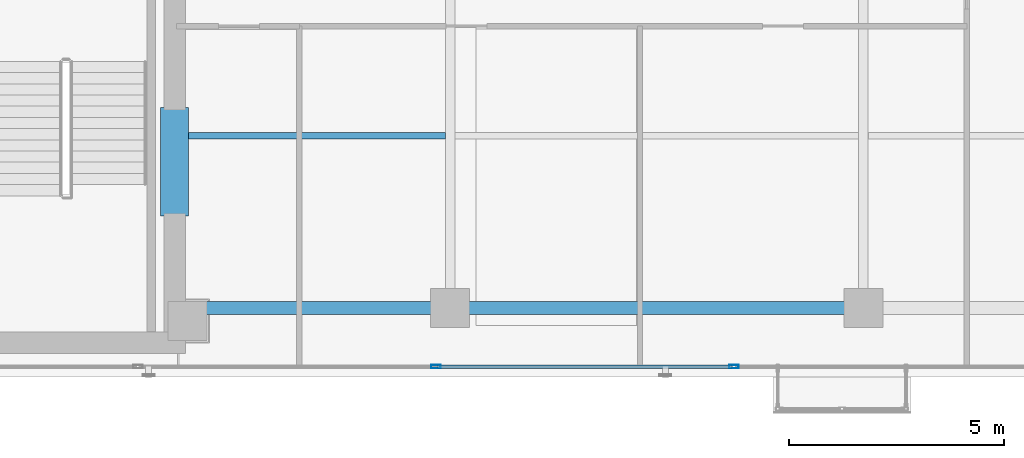
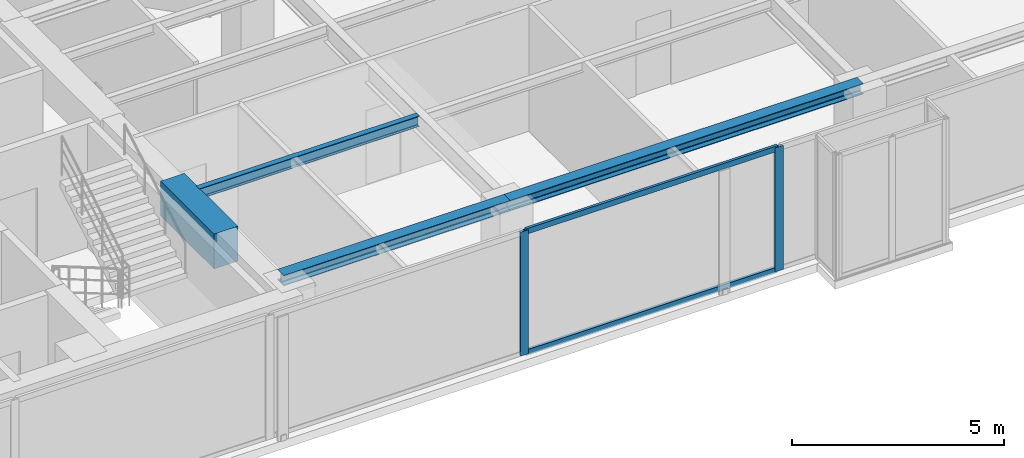
# One storey, part 4 of 24: 4 beams, 4 members, 1 element without a shape of its own.
"""IFC4 building model written with IfcOpenShell, lengths in metres."""

from ifc_helpers import new_model, si_unit, direction, frame, origin, origin_with_axes, origin_2d, place, context, subcontext, project, spatial, rectangle, hollow_rectangle, i_section, extrude, source, transform, mapped, material, layer, layer_set, material_profile, profile_set, type_object, element, aggregate, save


model = new_model("IFC4")

# Units and contexts
model_context = context("Model", 3, precision=1e-05, world=origin(), true_north=direction((0.0, 1.0)))
body_context = subcontext(model_context, "Body", "Model", "MODEL_VIEW")
ifc_project = project(units=[si_unit("LENGTHUNIT", "METRE"), si_unit("AREAUNIT", "SQUARE_METRE"), si_unit("VOLUMEUNIT", "CUBIC_METRE"), si_unit("PLANEANGLEUNIT", "RADIAN"), si_unit("MASSUNIT", "GRAM", prefix="KILO")], contexts=[model_context])

# Site, building, storey
site_placement = place(None, origin())
site = spatial("IfcSite", under=ifc_project, at=site_placement, CompositionType="ELEMENT")
building_placement = place(site_placement, origin())
building = spatial("IfcBuilding", under=site, at=building_placement, Name="Kolvaren Waterfront Exchange", CompositionType="ELEMENT")
storey_placement = place(building_placement, frame((0.0, 0.0, 331.199951171875)))
storey = spatial("IfcBuildingStorey", under=building, at=storey_placement, Name="L85", CompositionType="ELEMENT", Elevation=331.199951171875)

# Beams
ifc_material_1 = material(Name="Steel S355", Category="steel")
ifc_material_profile_1 = material_profile(ifc_material_1, i_section(OverallWidth=0.300048828125, OverallDepth=0.300048828125, WebThickness=0.010986328125, FlangeThickness=0.01904296875, FilletRadius=0.027099609375, at=origin_2d()), Name="HEB300")
ifc_profile_set_1 = profile_set([ifc_material_profile_1], Name="Steel S355")
beam_type_1 = type_object("IfcBeamType", Name="STR-BM-HEB300", PredefinedType="SPANDREL", material=ifc_profile_set_1)
beam_1_placement = place(storey_placement, frame((21.050048828125, 5.199951171875, 3.41015625), z_axis=(1.0, 0.0, 0.0), x_axis=(0.0, 1.0, 0.0)))
element("IfcBeam", 1, at=beam_1_placement, inside=storey, type_object=beam_type_1, Name="L85 east-arm spandrel S1", PredefinedType="SPANDREL", context=body_context, shape_type="SweptSolid", body=[
    extrude(i_section(OverallWidth=0.300048828125, OverallDepth=0.300048828125, WebThickness=0.010986328125, FlangeThickness=0.01904296875, FilletRadius=0.027099609375, at=origin_2d()), origin(), (0.0, 0.0, 1.0), 6.14990234375),
])
beam_2_placement = place(storey_placement, frame((27.199951171875, 5.199951171875, 3.41015625), z_axis=(1.0, 0.0, 0.0), x_axis=(0.0, 1.0, 0.0)))
element("IfcBeam", 2, at=beam_2_placement, inside=storey, type_object=beam_type_1, Name="L85 east-arm spandrel S2", PredefinedType="SPANDREL", context=body_context, shape_type="SweptSolid", body=[
    extrude(i_section(OverallWidth=0.300048828125, OverallDepth=0.300048828125, WebThickness=0.010986328125, FlangeThickness=0.01904296875, FilletRadius=0.027099609375, at=origin_2d()), origin(), (0.0, 0.0, 1.0), 9.60009765625),
])
ifc_material_profile_2 = material_profile(ifc_material_1, i_section(OverallWidth=0.14990234375, OverallDepth=0.300048828125, WebThickness=0.007080078125, FlangeThickness=0.0107421875, FilletRadius=0.014892578125, at=origin_2d()), Name="IPE300")
ifc_profile_set_2 = profile_set([ifc_material_profile_2], Name="Steel S355")
beam_type_2 = type_object("IfcBeamType", Name="STR-BM-IPE300", PredefinedType="JOIST", material=ifc_profile_set_2)
beam_3_placement = place(storey_placement, frame((21.10009765625, 9.199951171875, 3.41015625), z_axis=(1.0, 0.0, 0.0), x_axis=(0.0, 1.0, 0.0)))
element("IfcBeam", 3, at=beam_3_placement, inside=storey, type_object=beam_type_2, Name="L85 east-arm composite joist 1B", PredefinedType="JOIST", context=body_context, shape_type="SweptSolid", body=[
    extrude(i_section(OverallWidth=0.14990234375, OverallDepth=0.300048828125, WebThickness=0.007080078125, FlangeThickness=0.0107421875, FilletRadius=0.014892578125, at=origin_2d()), origin(), (0.0, 0.0, 1.0), 5.98779296875),
])
ifc_material_2 = material(Name="Concrete C60/75", Category="concrete")
ifc_material_profile_3 = material_profile(ifc_material_2, rectangle(XDim=0.64990234375, YDim=1.0, at=origin_2d()), Name="RC-CB-1000x650")
ifc_profile_set_3 = profile_set([ifc_material_profile_3], Name="Concrete C60/75")
beam_type_3 = type_object("IfcBeamType", Name="STR-CB-1000", PredefinedType="SPANDREL", material=ifc_profile_set_3)
beam_4_placement = place(storey_placement, frame((20.800048828125, 7.340087890625, 3.06005859375), z_axis=(0.0, 1.0, 0.0), x_axis=(-1.0, 0.0, 0.0)))
element("IfcBeam", 4, at=beam_4_placement, inside=storey, type_object=beam_type_3, Name="L85 core coupling beam 1", PredefinedType="SPANDREL", context=body_context, shape_type="SweptSolid", body=[
    extrude(rectangle(XDim=0.64990234375, YDim=1.0, at=origin_2d()), origin(), (0.0, 0.0, 1.0), 2.52001953125),
])

# Curtain wall, members
ifc_material_3 = material(Name="Anodised bronze aluminium 6063-T6", Category="aluminium")
ifc_layer = layer(ifc_material_3, 0.219970703125, Name="Anodised bronze aluminium 6063-T6")
ifc_layer_set = layer_set([ifc_layer], Name="Anodised bronze aluminium 6063-T6")
curtain_wall_type = type_object("IfcCurtainWallType", Name="ARC-CW-SYS1", PredefinedType="USERDEFINED", material=ifc_layer_set)
curtain_wall_placement = place(storey_placement, origin())
curtain_wall = element("IfcCurtainWall", 5, at=curtain_wall_placement, inside=storey, type_object=curtain_wall_type, Name="L85 stick curtain wall CW1 (CW-L85-S)", ObjectType="STICK CURTAIN WALL", PredefinedType="USERDEFINED")
ifc_material_4 = material(Name="Anodised aluminium 6063-T6", Category="aluminium")
ifc_material_profile_4 = material_profile(ifc_material_4, hollow_rectangle(XDim=0.080078125, YDim=0.219970703125, WallThickness=0.0048828125, at=origin_2d()), Name="ALU-MUL-220x80x5")
ifc_profile_set_4 = profile_set([ifc_material_profile_4], Name="Anodised aluminium 6063-T6")
member_type_1 = type_object("IfcMemberType", Name="ARC-CWM-220", PredefinedType="MULLION", material=ifc_profile_set_4)
shared_shape_1 = source(origin_with_axes(), body_context, "Body", "SweptSolid", [
    extrude(hollow_rectangle(XDim=0.080078125, YDim=0.219970703125, WallThickness=0.0048828125, at=origin_2d()), origin(), (0.0, 0.0, 1.0), 3.56005859375),
])
member_1_placement = place(storey_placement, frame((26.868408203125, 3.840087890625, 0.0), z_axis=(0.0, 0.0, 1.0), x_axis=(0.0, 1.0, 0.0)))
member_1 = element("IfcMember", 6, at=member_1_placement, type_object=member_type_1, Name="CW1 mullion 4", PredefinedType="MULLION", context=body_context, shape_type="MappedRepresentation", body=[
    mapped(shared_shape_1, transform((0.0, 0.0, 0.0), x_axis=(1.0, 0.0, 0.0), y_axis=(0.0, 1.0, 0.0), z_axis=(0.0, 0.0, 1.0), scale=1.0)),
])
member_2_placement = place(storey_placement, frame((33.791259765625, 3.840087890625, 0.0), z_axis=(0.0, 0.0, 1.0), x_axis=(0.0, 1.0, 0.0)))
member_2 = element("IfcMember", 7, at=member_2_placement, type_object=member_type_1, Name="CW1 mullion 5", PredefinedType="MULLION", context=body_context, shape_type="MappedRepresentation", body=[
    mapped(shared_shape_1, transform((0.0, 0.0, 0.0), x_axis=(1.0, 0.0, 0.0), y_axis=(0.0, 1.0, 0.0), z_axis=(0.0, 0.0, 1.0), scale=1.0)),
])
ifc_material_profile_5 = material_profile(ifc_material_4, hollow_rectangle(XDim=0.074951171875, YDim=0.159912109375, WallThickness=0.00439453125, at=origin_2d()), Name="ALU-TRN-160x75x4.5")
ifc_profile_set_5 = profile_set([ifc_material_profile_5], Name="Anodised aluminium 6063-T6")
member_type_2 = type_object("IfcMemberType", Name="ARC-CWT-160", PredefinedType="USERDEFINED", material=ifc_profile_set_5)
shared_shape_2 = source(origin_with_axes(), body_context, "Body", "SweptSolid", [
    extrude(hollow_rectangle(XDim=0.074951171875, YDim=0.159912109375, WallThickness=0.00439453125, at=origin_2d()), origin(), (0.0, 0.0, 1.0), 6.8427734375),
])
member_3_placement = place(storey_placement, frame((26.908447265625, 3.840087890625, 0.03759765625), z_axis=(1.0, 0.0, 0.0), x_axis=(0.0, 1.0, 0.0)))
member_3 = element("IfcMember", 8, at=member_3_placement, type_object=member_type_2, Name="CW1 transom 4.1", ObjectType="TRANSOM", PredefinedType="USERDEFINED", context=body_context, shape_type="MappedRepresentation", body=[
    mapped(shared_shape_2, transform((0.0, 0.0, 0.0), x_axis=(1.0, 0.0, 0.0), y_axis=(0.0, 1.0, 0.0), z_axis=(0.0, 0.0, 1.0), scale=1.0)),
])
member_4_placement = place(storey_placement, frame((26.908447265625, 3.840087890625, 3.5224609375), z_axis=(1.0, 0.0, 0.0), x_axis=(0.0, 1.0, 0.0)))
member_4 = element("IfcMember", 9, at=member_4_placement, type_object=member_type_2, Name="CW1 transom 4.2", ObjectType="TRANSOM", PredefinedType="USERDEFINED", context=body_context, shape_type="MappedRepresentation", body=[
    mapped(shared_shape_2, transform((0.0, 0.0, 0.0), x_axis=(1.0, 0.0, 0.0), y_axis=(0.0, 1.0, 0.0), z_axis=(0.0, 0.0, 1.0), scale=1.0)),
])
aggregate(curtain_wall, [member_1, member_2, member_3, member_4])

save(model, "model.ifc")
